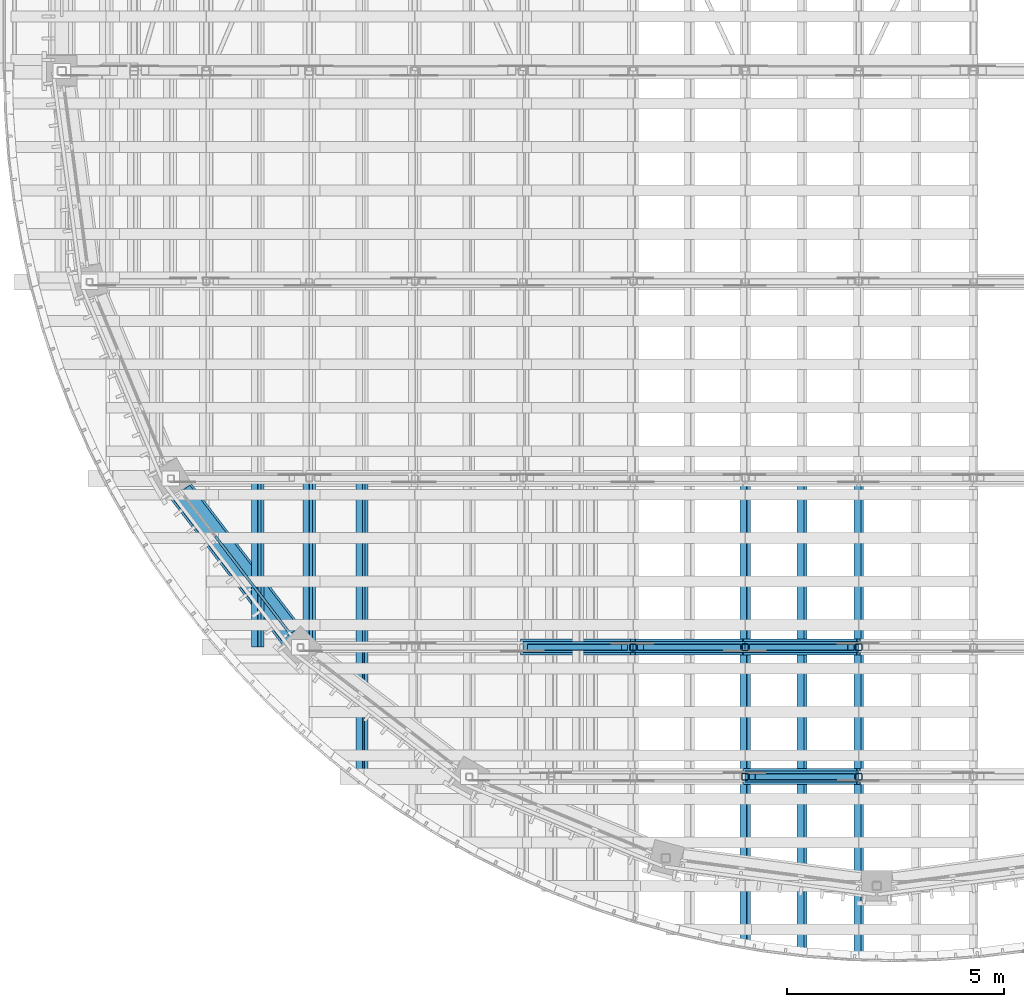
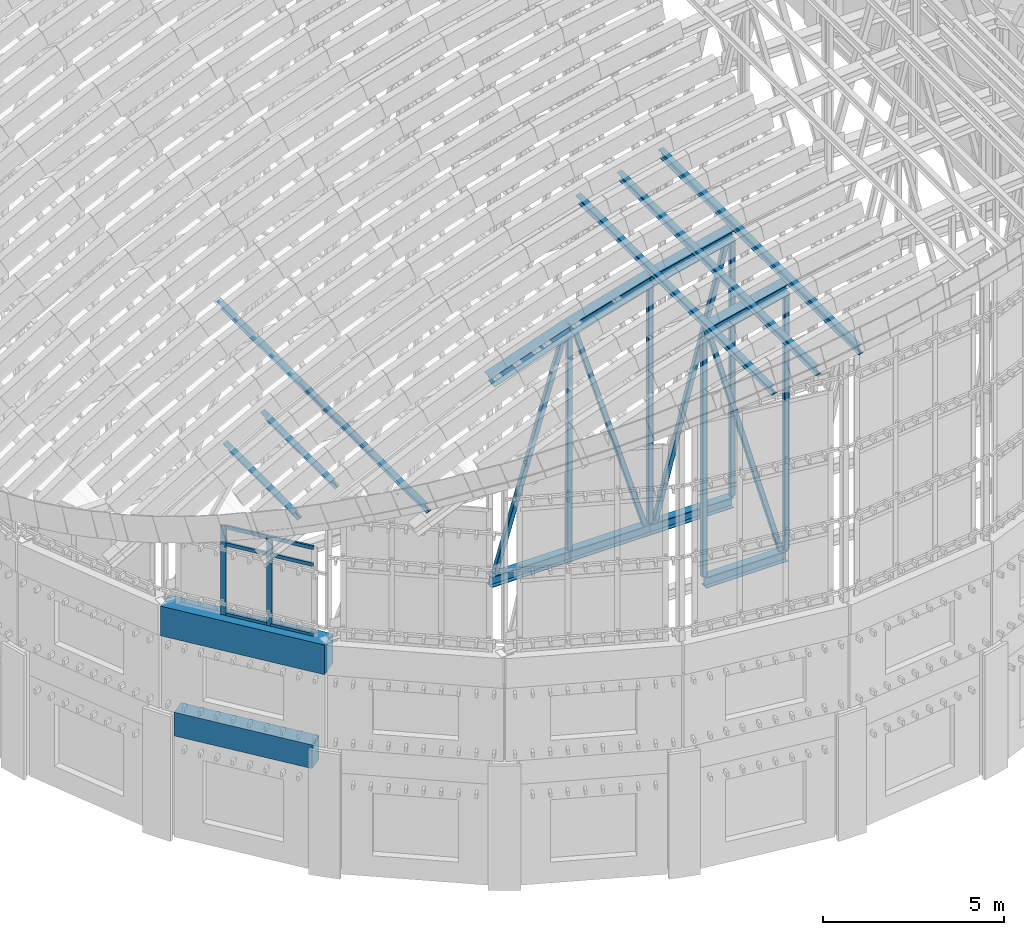
# One storey, part 5 of 105: 32 members, 2 beams, 1 element without a shape of its own.
"""IFC4 building model written with IfcOpenShell, lengths in metres."""

from ifc_helpers import new_model, si_unit, direction, frame, origin, origin_2d, place, context, subcontext, project, spatial, rectangle, hollow_rectangle, i_section, extrude, material, layer, layer_set, material_profile, profile_set, type_object, element, aggregate, save


model = new_model("IFC4")

# Units and contexts
model_context = context("Model", 3, precision=1e-05, world=origin(), true_north=direction((0.0, 1.0)))
body_context = subcontext(model_context, "Body", "Model", "MODEL_VIEW")
ifc_project = project(units=[si_unit("LENGTHUNIT", "METRE"), si_unit("AREAUNIT", "SQUARE_METRE"), si_unit("VOLUMEUNIT", "CUBIC_METRE"), si_unit("PLANEANGLEUNIT", "RADIAN"), si_unit("MASSUNIT", "GRAM", prefix="KILO")], contexts=[model_context])

# Site, building, storey
site_placement = place(None, origin())
site = spatial("IfcSite", under=ifc_project, at=site_placement, CompositionType="ELEMENT")
building_placement = place(site_placement, origin())
building = spatial("IfcBuilding", under=site, at=building_placement, Name="Wasatch Bagh Community Centre", CompositionType="ELEMENT")
storey_placement = place(building_placement, frame((0.0, 0.0, 16.800048828125)))
storey = spatial("IfcBuildingStorey", under=building, at=storey_placement, Name="L04", CompositionType="ELEMENT", Elevation=16.800048828125)

# Members
ifc_material_1 = material(Name="ASTM A500 Grade C steel", Category="steel")
ifc_material_profile_1 = material_profile(ifc_material_1, hollow_rectangle(XDim=0.15234375, YDim=0.15234375, WallThickness=0.0087890625, InnerFilletRadius=0.0087890625, OuterFilletRadius=0.017822265625, at=origin_2d()), Name="HSS6x6x3/8")
ifc_profile_set_1 = profile_set([ifc_material_profile_1], Name="ASTM A500 Grade C steel")
member_type_1 = type_object("IfcMemberType", Name="HSS6x6x3/8 brace", PredefinedType="BRACE", material=ifc_profile_set_1)
member_1_placement = place(storey_placement, frame((28.037353515625, 21.74169921875, 8.093017578125), z_axis=(0.289719392706, 0.0, 0.957111630632), x_axis=(0.0, 1.0, 0.0)))
element("IfcMember", 1, at=member_1_placement, inside=storey, type_object=member_type_1, Name="MH.TS3.WB03", PredefinedType="BRACE", context=body_context, shape_type="SweptSolid", body=[
    extrude(hollow_rectangle(XDim=0.15234375, YDim=0.15234375, WallThickness=0.0087890625, InnerFilletRadius=0.0087890625, OuterFilletRadius=0.017822265625, at=origin_2d()), origin(), (0.0, 0.0, 1.0), 7.45849609375),
])
member_2_placement = place(storey_placement, frame((32.79443359375, 21.74169921875, 8.09326171875), z_axis=(-0.291927052679, 0.0, 0.956440586714), x_axis=(0.0, -1.0, 0.0)))
element("IfcMember", 2, at=member_2_placement, inside=storey, type_object=member_type_1, Name="MH.TS3.WB04", PredefinedType="BRACE", context=body_context, shape_type="SweptSolid", body=[
    extrude(hollow_rectangle(XDim=0.15234375, YDim=0.15234375, WallThickness=0.0087890625, InnerFilletRadius=0.0087890625, OuterFilletRadius=0.017822265625, at=origin_2d()), origin(), (0.0, 0.0, 1.0), 7.6396484375),
])
member_3_placement = place(storey_placement, frame((33.14111328125, 21.74169921875, 8.090576171875), z_axis=(0.255877402939, 0.0, 0.966709239981), x_axis=(0.0, 1.0, 0.0)))
element("IfcMember", 3, at=member_3_placement, inside=storey, type_object=member_type_1, Name="MH.TS3.WB05", PredefinedType="BRACE", context=body_context, shape_type="SweptSolid", body=[
    extrude(hollow_rectangle(XDim=0.15234375, YDim=0.15234375, WallThickness=0.0087890625, InnerFilletRadius=0.0087890625, OuterFilletRadius=0.017822265625, at=origin_2d()), origin(), (0.0, 0.0, 1.0), 8.854248046875),
])
member_4_placement = place(storey_placement, frame((35.412353515625, 18.761962890625, 8.091796875), z_axis=(-0.271729705992, 0.0, 0.962373610861), x_axis=(0.0, -1.0, 0.0)))
element("IfcMember", 4, at=member_4_placement, inside=storey, type_object=member_type_1, Name="MH.TS4.WB04", PredefinedType="BRACE", context=body_context, shape_type="SweptSolid", body=[
    extrude(hollow_rectangle(XDim=0.15234375, YDim=0.15234375, WallThickness=0.0087890625, InnerFilletRadius=0.0087890625, OuterFilletRadius=0.017822265625, at=origin_2d()), origin(), (0.0, 0.0, 1.0), 8.368408203125),
])
ifc_material_profile_2 = material_profile(ifc_material_1, hollow_rectangle(XDim=0.15234375, YDim=0.15234375, WallThickness=0.0087890625, InnerFilletRadius=0.0087890625, OuterFilletRadius=0.017822265625, at=origin_2d()), Name="HSS6x6x3/8")
ifc_profile_set_2 = profile_set([ifc_material_profile_2], Name="ASTM A500 Grade C steel")
member_type_2 = type_object("IfcMemberType", Name="HSS6x6x3/8 post", PredefinedType="POST", material=ifc_profile_set_2)
member_5_placement = place(storey_placement, frame((30.39501953125, 21.74169921875, 8.070556640625), z_axis=(0.0, 0.0, 1.0), x_axis=(1.0, 0.0, 0.0)))
element("IfcMember", 5, at=member_5_placement, inside=storey, type_object=member_type_2, Name="MH.TS3.PS04", PredefinedType="POST", context=body_context, shape_type="SweptSolid", body=[
    extrude(hollow_rectangle(XDim=0.15234375, YDim=0.15234375, WallThickness=0.0087890625, InnerFilletRadius=0.0087890625, OuterFilletRadius=0.017822265625, at=origin_2d()), origin(), (0.0, 0.0, 1.0), 7.2509765625),
])
member_6_placement = place(storey_placement, frame((32.972412109375, 21.74169921875, 8.070556640625), z_axis=(0.0, 0.0, 1.0), x_axis=(1.0, 0.0, 0.0)))
element("IfcMember", 6, at=member_6_placement, inside=storey, type_object=member_type_2, Name="MH.TS3.PS05", PredefinedType="POST", context=body_context, shape_type="SweptSolid", body=[
    extrude(hollow_rectangle(XDim=0.15234375, YDim=0.15234375, WallThickness=0.0087890625, InnerFilletRadius=0.0087890625, OuterFilletRadius=0.017822265625, at=origin_2d()), origin(), (0.0, 0.0, 1.0), 8.013671875),
])
member_7_placement = place(storey_placement, frame((35.585205078125, 21.74169921875, 8.070556640625), z_axis=(0.0, 0.0, 1.0), x_axis=(1.0, 0.0, 0.0)))
element("IfcMember", 7, at=member_7_placement, inside=storey, type_object=member_type_2, Name="MH.TS3.PS06", PredefinedType="POST", context=body_context, shape_type="SweptSolid", body=[
    extrude(hollow_rectangle(XDim=0.15234375, YDim=0.15234375, WallThickness=0.0087890625, InnerFilletRadius=0.0087890625, OuterFilletRadius=0.017822265625, at=origin_2d()), origin(), (0.0, 0.0, 1.0), 8.64111328125),
])
member_8_placement = place(storey_placement, frame((32.972412109375, 18.761962890625, 8.070556640625), z_axis=(0.0, 0.0, 1.0), x_axis=(1.0, 0.0, 0.0)))
element("IfcMember", 8, at=member_8_placement, inside=storey, type_object=member_type_2, Name="MH.TS4.PS04", PredefinedType="POST", context=body_context, shape_type="SweptSolid", body=[
    extrude(hollow_rectangle(XDim=0.15234375, YDim=0.15234375, WallThickness=0.0087890625, InnerFilletRadius=0.0087890625, OuterFilletRadius=0.017822265625, at=origin_2d()), origin(), (0.0, 0.0, 1.0), 8.013671875),
])
member_9_placement = place(storey_placement, frame((35.585205078125, 18.761962890625, 8.070556640625), z_axis=(0.0, 0.0, 1.0), x_axis=(1.0, 0.0, 0.0)))
element("IfcMember", 9, at=member_9_placement, inside=storey, type_object=member_type_2, Name="MH.TS4.PS05", PredefinedType="POST", context=body_context, shape_type="SweptSolid", body=[
    extrude(hollow_rectangle(XDim=0.15234375, YDim=0.15234375, WallThickness=0.0087890625, InnerFilletRadius=0.0087890625, OuterFilletRadius=0.017822265625, at=origin_2d()), origin(), (0.0, 0.0, 1.0), 8.64111328125),
])

# Curtain wall, members
ifc_material_2 = material(Name="Aluminium curtain wall frame with low-iron glass", Category="aluminium")
ifc_layer = layer(ifc_material_2, 0.10009765625)
ifc_layer_set = layer_set([ifc_layer], Name="Aluminium curtain wall frame with low-iron glass")
curtain_wall_type = type_object("IfcCurtainWallType", Name="MH end screen curtain wall 3", PredefinedType="NOTDEFINED", material=ifc_layer_set)
curtain_wall_placement = place(storey_placement, origin())
curtain_wall = element("IfcCurtainWall", 10, at=curtain_wall_placement, inside=storey, type_object=curtain_wall_type, Name="End screen 3", PredefinedType="NOTDEFINED")
ifc_material_3 = material(Name="Aluminium extrusion", Category="aluminium")
ifc_material_profile_3 = material_profile(ifc_material_3, rectangle(XDim=0.06005859375, YDim=0.159912109375, at=origin_2d()), Name="AL 60x160")
ifc_profile_set_3 = profile_set([ifc_material_profile_3], Name="Aluminium extrusion")
member_type_3 = type_object("IfcMemberType", Name="MH end screen mullion 60x160", PredefinedType="MULLION", material=ifc_profile_set_3)
member_10_placement = place(storey_placement, frame((20.833740234375, 24.228271484375, 7.699951171875), z_axis=(0.0, 0.0, 1.0), x_axis=(0.79335334027, 0.608761429036, 0.0)))
member_10 = element("IfcMember", 11, at=member_10_placement, type_object=member_type_3, Name="MH-CW3 mullion 2", PredefinedType="MULLION", context=body_context, shape_type="SweptSolid", body=[
    extrude(rectangle(XDim=0.06005859375, YDim=0.159912109375, at=origin_2d()), origin(), (0.0, 0.0, 1.0), 3.0),
])
member_11_placement = place(storey_placement, frame((21.670166015625, 23.138427734375, 7.699951171875), z_axis=(0.0, 0.0, 1.0), x_axis=(0.79335334027, 0.608761429036, 0.0)))
member_11 = element("IfcMember", 12, at=member_11_placement, type_object=member_type_3, Name="MH-CW3 mullion 3", PredefinedType="MULLION", context=body_context, shape_type="SweptSolid", body=[
    extrude(rectangle(XDim=0.06005859375, YDim=0.159912109375, at=origin_2d()), origin(), (0.0, 0.0, 1.0), 3.0),
])
ifc_material_profile_4 = material_profile(ifc_material_3, rectangle(XDim=0.06005859375, YDim=0.1201171875, at=origin_2d()), Name="AL 60x120")
ifc_profile_set_4 = profile_set([ifc_material_profile_4], Name="Aluminium extrusion")
member_type_4 = type_object("IfcMemberType", Name="MH end screen transom 60x120", PredefinedType="USERDEFINED", material=ifc_profile_set_4)
member_12_placement = place(storey_placement, frame((20.85205078125, 24.20458984375, 7.72998046875), z_axis=(0.608704562389, -0.793396972345, 0.0), x_axis=(0.793396972345, 0.608704562389, 0.0)))
member_12 = element("IfcMember", 13, at=member_12_placement, type_object=member_type_4, Name="MH-CW3 transom 2.1", ObjectType="TRANSOM", PredefinedType="USERDEFINED", context=body_context, shape_type="SweptSolid", body=[
    extrude(rectangle(XDim=0.06005859375, YDim=0.1201171875, at=origin_2d()), origin(), (0.0, 0.0, 1.0), 1.31396484375),
])
member_13_placement = place(storey_placement, frame((20.85205078125, 24.20458984375, 10.099853515625), z_axis=(0.608704562389, -0.793396972345, 0.0), x_axis=(0.793396972345, 0.608704562389, 0.0)))
member_13 = element("IfcMember", 14, at=member_13_placement, type_object=member_type_4, Name="MH-CW3 transom 2.2", ObjectType="TRANSOM", PredefinedType="USERDEFINED", context=body_context, shape_type="SweptSolid", body=[
    extrude(rectangle(XDim=0.06005859375, YDim=0.1201171875, at=origin_2d()), origin(), (0.0, 0.0, 1.0), 1.31396484375),
])
member_14_placement = place(storey_placement, frame((20.85205078125, 24.20458984375, 10.669921875), z_axis=(0.608704562389, -0.793396972345, 0.0), x_axis=(0.793396972345, 0.608704562389, 0.0)))
member_14 = element("IfcMember", 15, at=member_14_placement, type_object=member_type_4, Name="MH-CW3 transom 2.3", ObjectType="TRANSOM", PredefinedType="USERDEFINED", context=body_context, shape_type="SweptSolid", body=[
    extrude(rectangle(XDim=0.06005859375, YDim=0.1201171875, at=origin_2d()), origin(), (0.0, 0.0, 1.0), 1.31396484375),
])
member_15_placement = place(storey_placement, frame((21.688232421875, 23.114501953125, 7.72998046875), z_axis=(0.608846614125, -0.793287968186, 0.0), x_axis=(0.793287968186, 0.608846614125, 0.0)))
member_15 = element("IfcMember", 16, at=member_15_placement, type_object=member_type_4, Name="MH-CW3 transom 3.1", ObjectType="TRANSOM", PredefinedType="USERDEFINED", context=body_context, shape_type="SweptSolid", body=[
    extrude(rectangle(XDim=0.06005859375, YDim=0.1201171875, at=origin_2d()), origin(), (0.0, 0.0, 1.0), 1.283935546875),
])
member_16_placement = place(storey_placement, frame((21.688232421875, 23.114501953125, 10.099853515625), z_axis=(0.608846614125, -0.793287968186, 0.0), x_axis=(0.793287968186, 0.608846614125, 0.0)))
member_16 = element("IfcMember", 17, at=member_16_placement, type_object=member_type_4, Name="MH-CW3 transom 3.2", ObjectType="TRANSOM", PredefinedType="USERDEFINED", context=body_context, shape_type="SweptSolid", body=[
    extrude(rectangle(XDim=0.06005859375, YDim=0.1201171875, at=origin_2d()), origin(), (0.0, 0.0, 1.0), 1.283935546875),
])
member_17_placement = place(storey_placement, frame((21.688232421875, 23.114501953125, 10.669921875), z_axis=(0.608846614125, -0.793287968186, 0.0), x_axis=(0.793287968186, 0.608846614125, 0.0)))
member_17 = element("IfcMember", 18, at=member_17_placement, type_object=member_type_4, Name="MH-CW3 transom 3.3", ObjectType="TRANSOM", PredefinedType="USERDEFINED", context=body_context, shape_type="SweptSolid", body=[
    extrude(rectangle(XDim=0.06005859375, YDim=0.1201171875, at=origin_2d()), origin(), (0.0, 0.0, 1.0), 1.283935546875),
])
aggregate(curtain_wall, [member_10, member_11, member_12, member_13, member_14, member_15, member_16, member_17])

# Beams
ifc_material_4 = material(Name="Concrete C35", Category="concrete")
ifc_material_profile_5 = material_profile(ifc_material_4, rectangle(XDim=0.5, YDim=0.800048828125, at=origin_2d()), Name="RC 500x800")
ifc_profile_set_5 = profile_set([ifc_material_profile_5], Name="Concrete C35")
beam_type_1 = type_object("IfcBeamType", Name="MH ring beam RC 500x800", PredefinedType="BEAM", material=ifc_profile_set_5)
beam_1_placement = place(storey_placement, frame((19.997314453125, 25.318359375, 3.800048828125), z_axis=(0.60877717335, -0.793341258985, 0.0), x_axis=(0.793341258985, 0.60877717335, 0.0)))
element("IfcBeam", 19, at=beam_1_placement, inside=storey, type_object=beam_type_1, Name="Ring beam 21.0 S2-S3", PredefinedType="BEAM", context=body_context, shape_type="SweptSolid", body=[
    extrude(rectangle(XDim=0.5, YDim=0.800048828125, at=origin_2d()), origin(), (0.0, 0.0, 1.0), 4.121826171875),
])
ifc_material_profile_6 = material_profile(ifc_material_4, rectangle(XDim=0.60009765625, YDim=1.0, at=origin_2d()), Name="RC 600x1000")
ifc_profile_set_6 = profile_set([ifc_material_profile_6], Name="Concrete C35")
beam_type_2 = type_object("IfcBeamType", Name="MH ring beam RC 600x1000", PredefinedType="BEAM", material=ifc_profile_set_6)
beam_2_placement = place(storey_placement, frame((19.761962890625, 25.625, 7.199951171875), z_axis=(0.608758193246, -0.793355823169, 0.0), x_axis=(0.793355823169, 0.608758193246, 0.0)))
element("IfcBeam", 20, at=beam_2_placement, inside=storey, type_object=beam_type_2, Name="Ring beam 24.5 S2-S3", PredefinedType="BEAM", context=body_context, shape_type="SweptSolid", body=[
    extrude(rectangle(XDim=0.60009765625, YDim=1.0, at=origin_2d()), origin(), (0.0, 0.0, 1.0), 4.894775390625),
])

# Members
ifc_material_5 = material(Name="ASTM A992 Grade 50 steel", Category="steel")
ifc_material_profile_7 = material_profile(ifc_material_5, i_section(OverallWidth=0.164794921875, OverallDepth=0.309814453125, WebThickness=0.005859375, FlangeThickness=0.009765625, at=origin_2d()), Name="W12x26")
ifc_profile_set_7 = profile_set([ifc_material_profile_7], Name="ASTM A992 Grade 50 steel")
member_type_5 = type_object("IfcMemberType", Name="W12x26 purlin", PredefinedType="PURLIN", material=ifc_profile_set_7)
member_18_placement = place(storey_placement, frame((24.15869140625, 18.761962890625, 13.4248046875), z_axis=(0.0, 1.0, 0.0), x_axis=(-0.915804967141, 0.0, -0.401623283886)))
element("IfcMember", 21, at=member_18_placement, inside=storey, type_object=member_type_5, Name="MH.TS4-TS3.PU01", PredefinedType="PURLIN", context=body_context, shape_type="SweptSolid", body=[
    extrude(i_section(OverallWidth=0.164794921875, OverallDepth=0.309814453125, WebThickness=0.005859375, FlangeThickness=0.009765625, at=origin_2d()), origin(), (0.0, 0.0, 1.0), 11.38525390625),
])
for number, where, z_axis, x_axis, name in (
    (22, (21.75927734375, 21.74169921875, 12.2275390625), (0.0, 1.0, 0.0), (-0.882062248321, 0.0, -0.471132879437), "MH.TS3-TS2.PU01"),
    (23, (22.943359375, 21.74169921875, 12.860107421875), (0.0, 1.0, 0.0), (-0.882062286689, 0.0, -0.471132807605), "MH.TS3-TS2.PU02"),
    (24, (24.15869140625, 21.74169921875, 13.426025390625), (0.0, 1.0, 0.0), (-0.905204669284, 0.0, -0.424975889559), "MH.TS3-TS2.PU03"),
):
    element("IfcMember", number, at=place(storey_placement, frame(where, z_axis=z_axis, x_axis=x_axis)), inside=storey, type_object=member_type_5, Name=name, PredefinedType="PURLIN", context=body_context, shape_type="SweptSolid", body=[
        extrude(i_section(OverallWidth=0.164794921875, OverallDepth=0.309814453125, WebThickness=0.005859375, FlangeThickness=0.009765625, at=origin_2d()), origin(), (0.0, 0.0, 1.0), 3.88330078125),
    ])
ifc_material_profile_8 = material_profile(ifc_material_5, i_section(OverallWidth=0.164794921875, OverallDepth=0.309814453125, WebThickness=0.005859375, FlangeThickness=0.009765625, at=origin_2d()), Name="W12x26")
ifc_profile_set_8 = profile_set([ifc_material_profile_8], Name="ASTM A992 Grade 50 steel")
member_type_6 = type_object("IfcMemberType", Name="W12x26 rafter", PredefinedType="RAFTER", material=ifc_profile_set_8)
member_19_placement = place(storey_placement, frame((32.972412109375, 14.940673828125, 16.630859375), z_axis=(0.0, 1.0, 0.0), x_axis=(-0.959937587317, 0.0, -0.280213897686)))
element("IfcMember", 25, at=member_19_placement, inside=storey, type_object=member_type_6, Name="MH.TS.RF08", PredefinedType="RAFTER", context=body_context, shape_type="SweptSolid", body=[
    extrude(i_section(OverallWidth=0.164794921875, OverallDepth=0.309814453125, WebThickness=0.005859375, FlangeThickness=0.009765625, at=origin_2d()), origin(), (0.0, 0.0, 1.0), 10.684326171875),
])
member_20_placement = place(storey_placement, frame((34.27880859375, 14.7607421875, 16.9443359375), z_axis=(0.0, 1.0, 0.0), x_axis=(-0.973121630503, 0.0, -0.230291754623)))
element("IfcMember", 26, at=member_20_placement, inside=storey, type_object=member_type_6, Name="MH.TS.RF09", PredefinedType="RAFTER", context=body_context, shape_type="SweptSolid", body=[
    extrude(i_section(OverallWidth=0.164794921875, OverallDepth=0.309814453125, WebThickness=0.005859375, FlangeThickness=0.009765625, at=origin_2d()), origin(), (0.0, 0.0, 1.0), 10.8642578125),
])
member_21_placement = place(storey_placement, frame((35.585205078125, 14.666259765625, 17.249267578125), z_axis=(0.0, 1.0, 0.0), x_axis=(-0.983711293114, 0.0, -0.179755644695)))
element("IfcMember", 27, at=member_21_placement, inside=storey, type_object=member_type_6, Name="MH.TS.RF10", PredefinedType="RAFTER", context=body_context, shape_type="SweptSolid", body=[
    extrude(i_section(OverallWidth=0.164794921875, OverallDepth=0.309814453125, WebThickness=0.005859375, FlangeThickness=0.009765625, at=origin_2d()), origin(), (0.0, 0.0, 1.0), 10.958740234375),
])
ifc_material_profile_9 = material_profile(ifc_material_5, i_section(OverallWidth=0.25390625, OverallDepth=0.355712890625, WebThickness=0.010498046875, FlangeThickness=0.018310546875, at=origin_2d()), Name="W14x68")
ifc_profile_set_9 = profile_set([ifc_material_profile_9], Name="ASTM A992 Grade 50 steel")
member_type_7 = type_object("IfcMemberType", Name="W14x68 chord", PredefinedType="CHORD", material=ifc_profile_set_9)
member_22_placement = place(storey_placement, frame((27.85986328125, 21.74169921875, 7.892822265625), z_axis=(1.0, 0.0, 0.0), x_axis=(0.0, 1.0, 0.0)))
element("IfcMember", 28, at=member_22_placement, inside=storey, type_object=member_type_7, Name="MH.TS3.BC03", PredefinedType="CHORD", context=body_context, shape_type="SweptSolid", body=[
    extrude(i_section(OverallWidth=0.25390625, OverallDepth=0.355712890625, WebThickness=0.010498046875, FlangeThickness=0.018310546875, at=origin_2d()), origin(), (0.0, 0.0, 1.0), 2.53515625),
])
member_23_placement = place(storey_placement, frame((30.39501953125, 21.74169921875, 7.892822265625), z_axis=(1.0, 0.0, 0.0), x_axis=(0.0, 1.0, 0.0)))
element("IfcMember", 29, at=member_23_placement, inside=storey, type_object=member_type_7, Name="MH.TS3.BC04", PredefinedType="CHORD", context=body_context, shape_type="SweptSolid", body=[
    extrude(i_section(OverallWidth=0.25390625, OverallDepth=0.355712890625, WebThickness=0.010498046875, FlangeThickness=0.018310546875, at=origin_2d()), origin(), (0.0, 0.0, 1.0), 2.577392578125),
])
for number, where, z_axis, x_axis, name in (
    (30, (32.972412109375, 21.74169921875, 7.892822265625), (1.0, 0.0, 0.0), (0.0, 1.0, 0.0), "MH.TS3.BC05"),
    (31, (32.972412109375, 18.761962890625, 7.892822265625), (1.0, 0.0, 0.0), (0.0, 1.0, 0.0), "MH.TS4.BC04"),
):
    element("IfcMember", number, at=place(storey_placement, frame(where, z_axis=z_axis, x_axis=x_axis)), inside=storey, type_object=member_type_7, Name=name, PredefinedType="CHORD", context=body_context, shape_type="SweptSolid", body=[
        extrude(i_section(OverallWidth=0.25390625, OverallDepth=0.355712890625, WebThickness=0.010498046875, FlangeThickness=0.018310546875, at=origin_2d()), origin(), (0.0, 0.0, 1.0), 2.61279296875),
    ])
ifc_material_profile_10 = material_profile(ifc_material_5, i_section(OverallWidth=0.368408203125, OverallDepth=0.355712890625, WebThickness=0.01123046875, FlangeThickness=0.01806640625, at=origin_2d()), Name="W14x90")
ifc_profile_set_10 = profile_set([ifc_material_profile_10], Name="ASTM A992 Grade 50 steel")
member_type_8 = type_object("IfcMemberType", Name="W14x90 chord", PredefinedType="CHORD", material=ifc_profile_set_10)
member_24_placement = place(storey_placement, frame((27.86474609375, 21.74169921875, 14.651123046875), z_axis=(0.943812827742, 0.0, 0.330480477773), x_axis=(0.0, 1.0, 0.0)))
element("IfcMember", 32, at=member_24_placement, inside=storey, type_object=member_type_8, Name="MH.TS3.TC05", PredefinedType="CHORD", context=body_context, shape_type="SweptSolid", body=[
    extrude(i_section(OverallWidth=0.368408203125, OverallDepth=0.355712890625, WebThickness=0.01123046875, FlangeThickness=0.01806640625, at=origin_2d()), origin(), (0.0, 0.0, 1.0), 2.67578125),
])
for number, where, z_axis, x_axis, name in (
    (33, (30.39990234375, 21.74169921875, 15.53857421875), (0.959642555684, 0.0, 0.281222625903), (0.0, 1.0, 0.0), "MH.TS3.TC06"),
    (34, (32.977294921875, 21.74169921875, 16.29345703125), (0.972941166496, 0.0, 0.231052995082), (0.0, 1.0, 0.0), "MH.TS3.TC07"),
    (35, (32.977294921875, 18.761962890625, 16.29345703125), (0.972941166496, 0.0, 0.231052995082), (0.0, 1.0, 0.0), "MH.TS4.TC06"),
):
    element("IfcMember", number, at=place(storey_placement, frame(where, z_axis=z_axis, x_axis=x_axis)), inside=storey, type_object=member_type_8, Name=name, PredefinedType="CHORD", context=body_context, shape_type="SweptSolid", body=[
        extrude(i_section(OverallWidth=0.368408203125, OverallDepth=0.355712890625, WebThickness=0.01123046875, FlangeThickness=0.01806640625, at=origin_2d()), origin(), (0.0, 0.0, 1.0), 2.675537109375),
    ])

save(model, "model.ifc")
